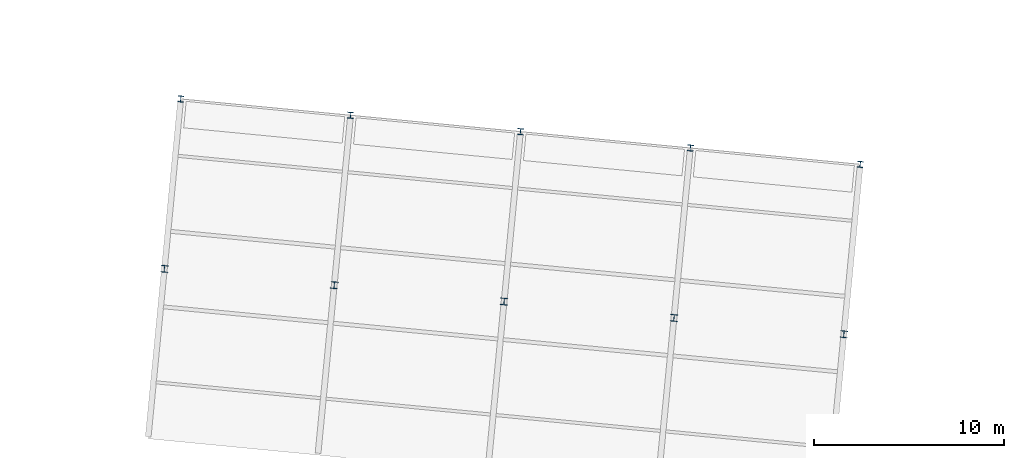
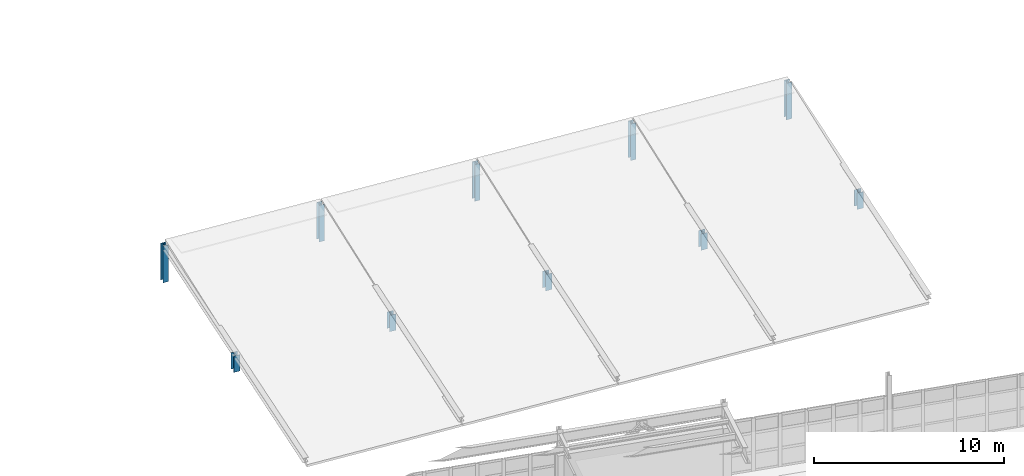
# One storey, part 9 of 59: 10 columns.
"""IFC4 building model written with IfcOpenShell, lengths in metres."""

from ifc_helpers import new_model, si_unit, direction, frame, origin, origin_2d, place, context, subcontext, project, spatial, i_section, extrude, material, material_profile, profile_set, type_object, element, save


model = new_model("IFC4")

# Units and contexts
model_context = context("Model", 3, precision=1e-05, world=origin(), true_north=direction((0.0, 1.0)))
body_context = subcontext(model_context, "Body", "Model", "MODEL_VIEW")
ifc_project = project(units=[si_unit("LENGTHUNIT", "METRE"), si_unit("AREAUNIT", "SQUARE_METRE"), si_unit("VOLUMEUNIT", "CUBIC_METRE"), si_unit("PLANEANGLEUNIT", "RADIAN"), si_unit("MASSUNIT", "GRAM", prefix="KILO")], contexts=[model_context])

# Site, building, storey
site_placement = place(None, origin())
site = spatial("IfcSite", under=ifc_project, at=site_placement, CompositionType="ELEMENT")
building_placement = place(site_placement, origin())
building = spatial("IfcBuilding", under=site, at=building_placement, Name="Vireo Bluff Cable Station", CompositionType="ELEMENT")
storey_placement = place(building_placement, frame((0.0, 0.0, 14.39990234375)))
storey = spatial("IfcBuildingStorey", under=building, at=storey_placement, Name="L03", CompositionType="ELEMENT", Elevation=14.39990234375)

# Columns
ifc_material = material(Name="Steel ASTM A992 Gr. 50", Category="steel")
ifc_material_profile_1 = material_profile(ifc_material, i_section(OverallWidth=0.367919921875, OverallDepth=0.35595703125, WebThickness=0.01123046875, FlangeThickness=0.01806640625, FilletRadius=0.014892578125, at=origin_2d()), Name="W14X90")
ifc_profile_set_1 = profile_set([ifc_material_profile_1], Name="Steel ASTM A992 Gr. 50")
column_type_1 = type_object("IfcColumnType", Name="COL-W14X90", PredefinedType="COLUMN", material=ifc_profile_set_1)
for number, where, z_axis, x_axis, name in (
    (1, (68.6005859375, 75.96240234375, 0.0), (0.0, 0.0, 1.0), (0.995396198367, -0.09584575252, 0.0), "V3 interior roof column 1"),
    (2, (77.559326171875, 75.099853515625, 0.0), (0.0, 0.0, 1.0), (0.995396198367, -0.09584575252, 0.0), "V3 interior roof column 2"),
    (3, (86.517822265625, 74.2373046875, 0.0), (0.0, 0.0, 1.0), (0.995396198367, -0.09584575252, 0.0), "V3 interior roof column 3"),
    (4, (95.476318359375, 73.37451171875, 0.0), (0.0, 0.0, 1.0), (0.995396198367, -0.09584575252, 0.0), "V3 interior roof column 4"),
    (5, (104.43505859375, 72.511962890625, 0.0), (0.0, 0.0, 1.0), (0.995396198367, -0.09584575252, 0.0), "V3 interior roof column 5"),
):
    element("IfcColumn", number, at=place(storey_placement, frame(where, z_axis=z_axis, x_axis=x_axis)), inside=storey, type_object=column_type_1, Name=name, PredefinedType="COLUMN", context=body_context, shape_type="SweptSolid", body=[
        extrude(i_section(OverallWidth=0.367919921875, OverallDepth=0.35595703125, WebThickness=0.01123046875, FlangeThickness=0.01806640625, FilletRadius=0.014892578125, at=origin_2d()), origin(), (0.0, 0.0, 1.0), 1.050048828125),
    ])
ifc_material_profile_2 = material_profile(ifc_material, i_section(OverallWidth=0.30908203125, OverallDepth=0.322998046875, WebThickness=0.013916015625, FlangeThickness=0.02294921875, FilletRadius=0.012939453125, at=origin_2d()), Name="W12X96")
ifc_profile_set_2 = profile_set([ifc_material_profile_2], Name="Steel ASTM A992 Gr. 50")
column_type_2 = type_object("IfcColumnType", Name="ECOL-W12X96", PredefinedType="COLUMN", material=ifc_profile_set_2)
for number, where, z_axis, x_axis, name in (
    (6, (69.46337890625, 84.9208984375, 0.0), (0.0, 0.0, 1.0), (0.995396198367, -0.09584575252, 0.0), "V3 clerestory roof column 1"),
    (7, (78.421875, 84.058349609375, 0.0), (0.0, 0.0, 1.0), (0.995396198367, -0.09584575252, 0.0), "V3 clerestory roof column 2"),
    (8, (87.38037109375, 83.19580078125, 0.0), (0.0, 0.0, 1.0), (0.995396198367, -0.09584575252, 0.0), "V3 clerestory roof column 3"),
    (9, (96.339111328125, 82.333251953125, 0.0), (0.0, 0.0, 1.0), (0.995396198367, -0.09584575252, 0.0), "V3 clerestory roof column 4"),
    (10, (105.297607421875, 81.470458984375, 0.0), (0.0, 0.0, 1.0), (0.995396198367, -0.09584575252, 0.0), "V3 clerestory roof column 5"),
):
    element("IfcColumn", number, at=place(storey_placement, frame(where, z_axis=z_axis, x_axis=x_axis)), inside=storey, type_object=column_type_2, Name=name, PredefinedType="COLUMN", context=body_context, shape_type="SweptSolid", body=[
        extrude(i_section(OverallWidth=0.30908203125, OverallDepth=0.322998046875, WebThickness=0.013916015625, FlangeThickness=0.02294921875, FilletRadius=0.012939453125, at=origin_2d()), origin(), (0.0, 0.0, 1.0), 2.35009765625),
    ])

save(model, "model.ifc")
